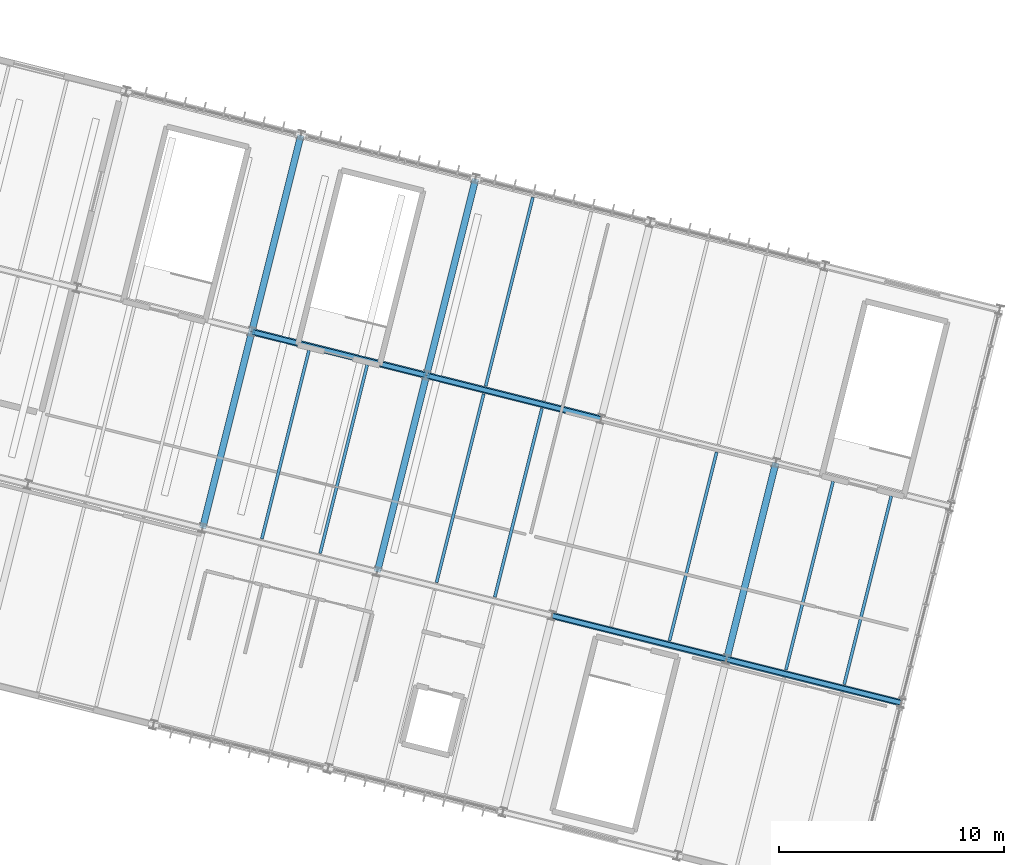
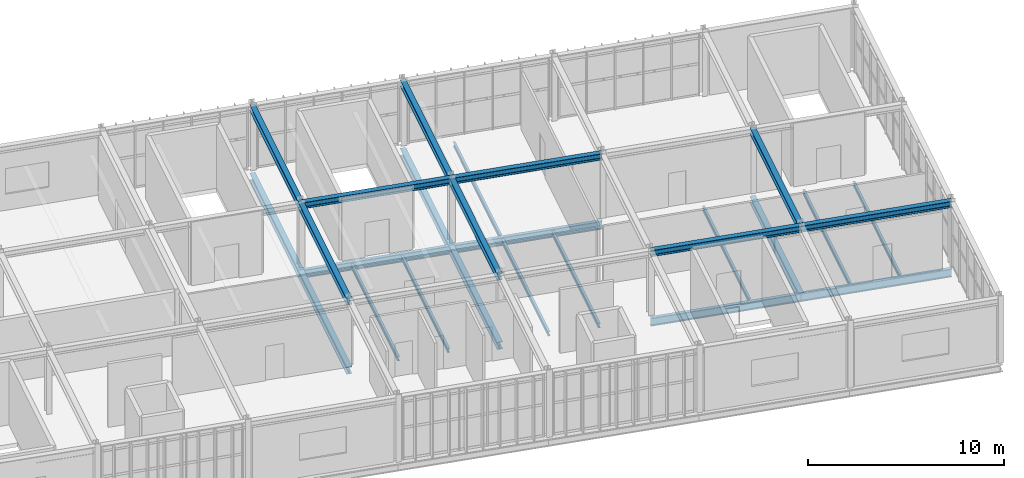
# One storey, part 11 of 30: 26 beams.
"""IFC4 building model written with IfcOpenShell, lengths in metres."""

from ifc_helpers import new_model, si_unit, derived_unit, direction, frame, origin, origin_2d, place, context, subcontext, project, spatial, i_section, extrude, material, material_profile, profile_set, type_object, element, save


model = new_model("IFC4")

# Units and contexts
model_context = context("Model", 3, precision=1e-05, world=origin(), true_north=direction((0.0, 1.0)))
body_context = subcontext(model_context, "Body", "Model", "MODEL_VIEW")
ifc_project = project(units=[si_unit("LENGTHUNIT", "METRE"), si_unit("AREAUNIT", "SQUARE_METRE"), si_unit("VOLUMEUNIT", "CUBIC_METRE"), si_unit("PLANEANGLEUNIT", "RADIAN"), si_unit("MASSUNIT", "GRAM", prefix="KILO"), si_unit("THERMODYNAMICTEMPERATUREUNIT", "KELVIN"), si_unit("TIMEUNIT", "SECOND"), derived_unit("THERMALTRANSMITTANCEUNIT", [(si_unit("MASSUNIT", "GRAM", prefix="KILO"), 1), (si_unit("THERMODYNAMICTEMPERATUREUNIT", "KELVIN"), -1), (si_unit("TIMEUNIT", "SECOND"), -3)])], contexts=[model_context])

# Site, building, storey
site_placement = place(None, origin())
site = spatial("IfcSite", under=ifc_project, at=site_placement, CompositionType="ELEMENT")
building_placement = place(site_placement, origin())
building = spatial("IfcBuilding", under=site, at=building_placement, Name="Cambertide Market Hall", CompositionType="ELEMENT")
storey_placement = place(building_placement, frame((0.0, 0.0, 14.10009765625)))
storey = spatial("IfcBuildingStorey", under=building, at=storey_placement, Name="L04", CompositionType="ELEMENT", Elevation=14.10009765625)

# Beams
ifc_material_1 = material(Name="Steel S355", Category="steel")
ifc_material_profile_1 = material_profile(ifc_material_1, i_section(OverallWidth=0.300048828125, OverallDepth=0.389892578125, WebThickness=0.010986328125, FlangeThickness=0.01904296875, FilletRadius=0.027099609375, at=origin_2d()), Name="HEA 400")
ifc_profile_set_1 = profile_set([ifc_material_profile_1], Name="Steel S355")
beam_type_1 = type_object("IfcBeamType", Name="Exterior Steel Girder HEA 400", PredefinedType="BEAM", material=ifc_profile_set_1)
for number, where, z_axis, x_axis, name in (
    (1, (143.41015625, 109.701416015625, 3.804931640625), (0.970146090314, -0.242521263911, 0.0), (0.242521263911, 0.970146090314, 0.0), "Level 4 Beam BM-V4U-RF-5-3"),
    (2, (151.17138671875, 107.76123046875, 3.804931640625), (0.970137114374, -0.242557167103, 0.0), (0.242557167103, 0.970137114374, 0.0), "Level 4 Beam BM-V4U-RF-6-3"),
    (3, (156.749755859375, 97.089599609375, 3.804931640625), (0.970137114374, -0.242557167103, 0.0), (0.242557167103, 0.970137114374, 0.0), "Level 4 Beam BM-V4U-RF-7-2"),
    (4, (164.5107421875, 95.149169921875, 3.804931640625), (0.970146090314, -0.242521263911, 0.0), (0.242521263911, 0.970146090314, 0.0), "Level 4 Beam BM-V4U-RF-8-2"),
):
    element("IfcBeam", number, at=place(storey_placement, frame(where, z_axis=z_axis, x_axis=x_axis)), inside=storey, type_object=beam_type_1, Name=name, PredefinedType="BEAM", context=body_context, shape_type="SweptSolid", body=[
        extrude(i_section(OverallWidth=0.300048828125, OverallDepth=0.389892578125, WebThickness=0.010986328125, FlangeThickness=0.01904296875, FilletRadius=0.027099609375, at=origin_2d()), origin(), (0.0, 0.0, 1.0), 8.0),
    ])
for number, where, z_axis, x_axis, name in (
    (5, (141.227294921875, 100.97021484375, 3.804931640625), (0.242542007841, 0.970140904422, 0.0), (-0.970140904422, 0.242542007841, 0.0), "Level 4 Beam BM-V4V-RF-5-2"),
    (6, (143.41015625, 109.701416015625, 3.804931640625), (0.242542007841, 0.970140904422, 0.0), (-0.970140904422, 0.242542007841, 0.0), "Level 4 Beam BM-V4V-RF-5-3"),
):
    element("IfcBeam", number, at=place(storey_placement, frame(where, z_axis=z_axis, x_axis=x_axis)), inside=storey, type_object=beam_type_1, Name=name, PredefinedType="BEAM", context=body_context, shape_type="SweptSolid", body=[
        extrude(i_section(OverallWidth=0.300048828125, OverallDepth=0.389892578125, WebThickness=0.010986328125, FlangeThickness=0.01904296875, FilletRadius=0.027099609375, at=origin_2d()), origin(), (0.0, 0.0, 1.0), 9.0),
    ])
beam_1_placement = place(storey_placement, frame((148.988525390625, 99.02978515625, 3.804931640625), z_axis=(0.242535625036, 0.970142500145, 0.0), x_axis=(-0.970142500145, 0.242535625036, 0.0)))
element("IfcBeam", 7, at=beam_1_placement, inside=storey, type_object=beam_type_1, Name="Level 4 Beam BM-V4V-RF-6-2", PredefinedType="BEAM", context=body_context, shape_type="SweptSolid", body=[
    extrude(i_section(OverallWidth=0.300048828125, OverallDepth=0.389892578125, WebThickness=0.010986328125, FlangeThickness=0.01904296875, FilletRadius=0.027099609375, at=origin_2d()), origin(), (0.0, 0.0, 1.0), 9.000244140625),
])
beam_2_placement = place(storey_placement, frame((151.17138671875, 107.76123046875, 3.804931640625), z_axis=(0.242542007841, 0.970140904422, 0.0), x_axis=(-0.970140904422, 0.242542007841, 0.0)))
element("IfcBeam", 8, at=beam_2_placement, inside=storey, type_object=beam_type_1, Name="Level 4 Beam BM-V4V-RF-6-3", PredefinedType="BEAM", context=body_context, shape_type="SweptSolid", body=[
    extrude(i_section(OverallWidth=0.300048828125, OverallDepth=0.389892578125, WebThickness=0.010986328125, FlangeThickness=0.01904296875, FilletRadius=0.027099609375, at=origin_2d()), origin(), (0.0, 0.0, 1.0), 9.0),
])
beam_3_placement = place(storey_placement, frame((164.5107421875, 95.149169921875, 3.804931640625), z_axis=(0.242535625036, 0.970142500145, 0.0), x_axis=(-0.970142500145, 0.242535625036, 0.0)))
element("IfcBeam", 9, at=beam_3_placement, inside=storey, type_object=beam_type_1, Name="Level 4 Beam BM-V4V-RF-8-2", PredefinedType="BEAM", context=body_context, shape_type="SweptSolid", body=[
    extrude(i_section(OverallWidth=0.300048828125, OverallDepth=0.389892578125, WebThickness=0.010986328125, FlangeThickness=0.01904296875, FilletRadius=0.027099609375, at=origin_2d()), origin(), (0.0, 0.0, 1.0), 9.000244140625),
])
ifc_material_2 = material(Name="Steel S355", Category="steel")
ifc_material_profile_2 = material_profile(ifc_material_2, i_section(OverallWidth=0.300048828125, OverallDepth=0.449951171875, WebThickness=0.013916015625, FlangeThickness=0.02587890625, FilletRadius=0.027099609375, at=origin_2d()), Name="HEB 450")
ifc_profile_set_2 = profile_set([ifc_material_profile_2], Name="Steel S355")
beam_type_2 = type_object("IfcBeamType", Name="Steel Girder HEB 450", PredefinedType="BEAM", material=ifc_profile_set_2)
for number, where, z_axis, x_axis, name in (
    (10, (141.227294921875, 100.97021484375, -0.47998046875), (0.242542007841, 0.970140904422, 0.0), (-0.970140904422, 0.242542007841, 0.0), "Level 4 Beam BM-V4V-L04-5-2"),
    (11, (143.41015625, 109.701416015625, -0.47998046875), (0.242542007841, 0.970140904422, 0.0), (-0.970140904422, 0.242542007841, 0.0), "Level 4 Beam BM-V4V-L04-5-3"),
):
    element("IfcBeam", number, at=place(storey_placement, frame(where, z_axis=z_axis, x_axis=x_axis)), inside=storey, type_object=beam_type_2, Name=name, PredefinedType="BEAM", context=body_context, shape_type="SweptSolid", body=[
        extrude(i_section(OverallWidth=0.300048828125, OverallDepth=0.449951171875, WebThickness=0.013916015625, FlangeThickness=0.02587890625, FilletRadius=0.027099609375, at=origin_2d()), origin(), (0.0, 0.0, 1.0), 9.0),
    ])
beam_4_placement = place(storey_placement, frame((148.988525390625, 99.02978515625, -0.47998046875), z_axis=(0.242535625036, 0.970142500145, 0.0), x_axis=(-0.970142500145, 0.242535625036, 0.0)))
element("IfcBeam", 12, at=beam_4_placement, inside=storey, type_object=beam_type_2, Name="Level 4 Beam BM-V4V-L04-6-2", PredefinedType="BEAM", context=body_context, shape_type="SweptSolid", body=[
    extrude(i_section(OverallWidth=0.300048828125, OverallDepth=0.449951171875, WebThickness=0.013916015625, FlangeThickness=0.02587890625, FilletRadius=0.027099609375, at=origin_2d()), origin(), (0.0, 0.0, 1.0), 9.000244140625),
])
beam_5_placement = place(storey_placement, frame((151.17138671875, 107.76123046875, -0.47998046875), z_axis=(0.242542007841, 0.970140904422, 0.0), x_axis=(-0.970140904422, 0.242542007841, 0.0)))
element("IfcBeam", 13, at=beam_5_placement, inside=storey, type_object=beam_type_2, Name="Level 4 Beam BM-V4V-L04-6-3", PredefinedType="BEAM", context=body_context, shape_type="SweptSolid", body=[
    extrude(i_section(OverallWidth=0.300048828125, OverallDepth=0.449951171875, WebThickness=0.013916015625, FlangeThickness=0.02587890625, FilletRadius=0.027099609375, at=origin_2d()), origin(), (0.0, 0.0, 1.0), 9.0),
])
beam_6_placement = place(storey_placement, frame((164.5107421875, 95.149169921875, -0.47998046875), z_axis=(0.242535625036, 0.970142500145, 0.0), x_axis=(-0.970142500145, 0.242535625036, 0.0)))
element("IfcBeam", 14, at=beam_6_placement, inside=storey, type_object=beam_type_2, Name="Level 4 Beam BM-V4V-L04-8-2", PredefinedType="BEAM", context=body_context, shape_type="SweptSolid", body=[
    extrude(i_section(OverallWidth=0.300048828125, OverallDepth=0.449951171875, WebThickness=0.013916015625, FlangeThickness=0.02587890625, FilletRadius=0.027099609375, at=origin_2d()), origin(), (0.0, 0.0, 1.0), 9.000244140625),
])
ifc_material_3 = material(Name="Steel S355", Category="steel")
ifc_material_profile_3 = material_profile(ifc_material_3, i_section(OverallWidth=0.199951171875, OverallDepth=0.5, WebThickness=0.01025390625, FlangeThickness=0.01611328125, FilletRadius=0.02099609375, at=origin_2d()), Name="IPE 500")
ifc_profile_set_3 = profile_set([ifc_material_profile_3], Name="Steel S355")
beam_type_3 = type_object("IfcBeamType", Name="Steel Girder IPE 500", PredefinedType="BEAM", material=ifc_profile_set_3)
for number, where, z_axis, x_axis, name in (
    (15, (143.41015625, 109.701416015625, -0.505126953125), (0.970146090314, -0.242521263911, 0.0), (0.242521263911, 0.970146090314, 0.0), "Level 4 Beam BM-V4U-L04-5-3"),
    (16, (151.17138671875, 107.76123046875, -0.505126953125), (0.970137114374, -0.242557167103, 0.0), (0.242557167103, 0.970137114374, 0.0), "Level 4 Beam BM-V4U-L04-6-3"),
    (17, (156.749755859375, 97.089599609375, -0.505126953125), (0.970137114374, -0.242557167103, 0.0), (0.242557167103, 0.970137114374, 0.0), "Level 4 Beam BM-V4U-L04-7-2"),
    (18, (164.5107421875, 95.149169921875, -0.505126953125), (0.970146090314, -0.242521263911, 0.0), (0.242521263911, 0.970146090314, 0.0), "Level 4 Beam BM-V4U-L04-8-2"),
):
    element("IfcBeam", number, at=place(storey_placement, frame(where, z_axis=z_axis, x_axis=x_axis)), inside=storey, type_object=beam_type_3, Name=name, PredefinedType="BEAM", context=body_context, shape_type="SweptSolid", body=[
        extrude(i_section(OverallWidth=0.199951171875, OverallDepth=0.5, WebThickness=0.01025390625, FlangeThickness=0.01611328125, FilletRadius=0.02099609375, at=origin_2d()), origin(), (0.0, 0.0, 1.0), 8.0),
    ])
ifc_material_4 = material(Name="Steel S275", Category="steel")
ifc_material_profile_4 = material_profile(ifc_material_4, i_section(OverallWidth=0.135009765625, OverallDepth=0.27001953125, WebThickness=0.006591796875, FlangeThickness=0.01025390625, FilletRadius=0.014892578125, at=origin_2d()), Name="IPE 270")
ifc_profile_set_4 = profile_set([ifc_material_profile_4], Name="Steel S275")
beam_type_4 = type_object("IfcBeamType", Name="Steel Secondary Joist IPE 270", PredefinedType="JOIST", material=ifc_profile_set_4)
beam_7_placement = place(storey_placement, frame((143.858154296875, 100.498046875, -0.39013671875), z_axis=(0.242528976348, 0.970144162293, 0.0), x_axis=(-0.970144162293, 0.242528976348, 0.0)))
element("IfcBeam", 19, at=beam_7_placement, inside=storey, type_object=beam_type_4, Name="Level 4 Joist JS-V4-L04-5-2-1", PredefinedType="JOIST", context=body_context, shape_type="SweptSolid", body=[
    extrude(i_section(OverallWidth=0.135009765625, OverallDepth=0.27001953125, WebThickness=0.006591796875, FlangeThickness=0.01025390625, FilletRadius=0.014892578125, at=origin_2d()), origin(), (0.0, 0.0, 1.0), 8.64013671875),
])
beam_8_placement = place(storey_placement, frame((146.445068359375, 99.851318359375, -0.39013671875), z_axis=(0.242535625036, 0.970142500145, 0.0), x_axis=(-0.970142500145, 0.242535625036, 0.0)))
element("IfcBeam", 20, at=beam_8_placement, inside=storey, type_object=beam_type_4, Name="Level 4 Joist JS-V4-L04-5-2-2", PredefinedType="JOIST", context=body_context, shape_type="SweptSolid", body=[
    extrude(i_section(OverallWidth=0.135009765625, OverallDepth=0.27001953125, WebThickness=0.006591796875, FlangeThickness=0.01025390625, FilletRadius=0.014892578125, at=origin_2d()), origin(), (0.0, 0.0, 1.0), 8.639892578125),
])
for number, where, z_axis, x_axis, name in (
    (21, (151.619140625, 98.5576171875, -0.39013671875), (0.242555570896, 0.970137513463, 0.0), (-0.970137513463, 0.242555570896, 0.0), "Level 4 Joist JS-V4-L04-6-2-1"),
    (22, (154.206298828125, 97.910888671875, -0.39013671875), (0.242528976348, 0.970144162293, 0.0), (-0.970144162293, 0.242528976348, 0.0), "Level 4 Joist JS-V4-L04-6-2-2"),
    (23, (153.802001953125, 107.2890625, -0.39013671875), (0.242528976348, 0.970144162293, 0.0), (-0.970144162293, 0.242528976348, 0.0), "Level 4 Joist JS-V4-L04-6-3-1"),
    (24, (161.967529296875, 95.970703125, -0.39013671875), (0.242528976348, 0.970144162293, 0.0), (-0.970144162293, 0.242528976348, 0.0), "Level 4 Joist JS-V4-L04-7-2-2"),
):
    element("IfcBeam", number, at=place(storey_placement, frame(where, z_axis=z_axis, x_axis=x_axis)), inside=storey, type_object=beam_type_4, Name=name, PredefinedType="JOIST", context=body_context, shape_type="SweptSolid", body=[
        extrude(i_section(OverallWidth=0.135009765625, OverallDepth=0.27001953125, WebThickness=0.006591796875, FlangeThickness=0.01025390625, FilletRadius=0.014892578125, at=origin_2d()), origin(), (0.0, 0.0, 1.0), 8.64013671875),
    ])
beam_9_placement = place(storey_placement, frame((167.1416015625, 94.67724609375, -0.39013671875), z_axis=(0.242535625036, 0.970142500145, 0.0), x_axis=(-0.970142500145, 0.242535625036, 0.0)))
element("IfcBeam", 25, at=beam_9_placement, inside=storey, type_object=beam_type_4, Name="Level 4 Joist JS-V4-L04-8-2-1", PredefinedType="JOIST", context=body_context, shape_type="SweptSolid", body=[
    extrude(i_section(OverallWidth=0.135009765625, OverallDepth=0.27001953125, WebThickness=0.006591796875, FlangeThickness=0.01025390625, FilletRadius=0.014892578125, at=origin_2d()), origin(), (0.0, 0.0, 1.0), 8.639892578125),
])
beam_10_placement = place(storey_placement, frame((169.728515625, 94.0302734375, -0.39013671875), z_axis=(0.242528976348, 0.970144162293, 0.0), x_axis=(-0.970144162293, 0.242528976348, 0.0)))
element("IfcBeam", 26, at=beam_10_placement, inside=storey, type_object=beam_type_4, Name="Level 4 Joist JS-V4-L04-8-2-2", PredefinedType="JOIST", context=body_context, shape_type="SweptSolid", body=[
    extrude(i_section(OverallWidth=0.135009765625, OverallDepth=0.27001953125, WebThickness=0.006591796875, FlangeThickness=0.01025390625, FilletRadius=0.014892578125, at=origin_2d()), origin(), (0.0, 0.0, 1.0), 8.64013671875),
])

save(model, "model.ifc")
